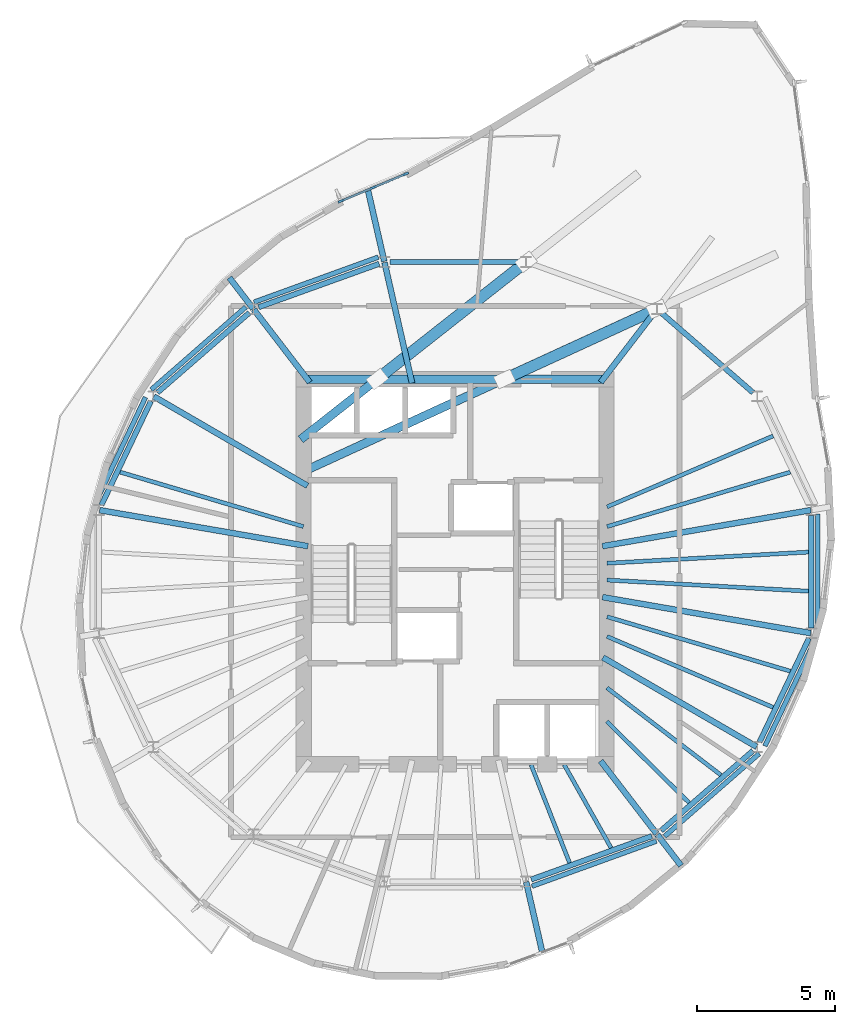
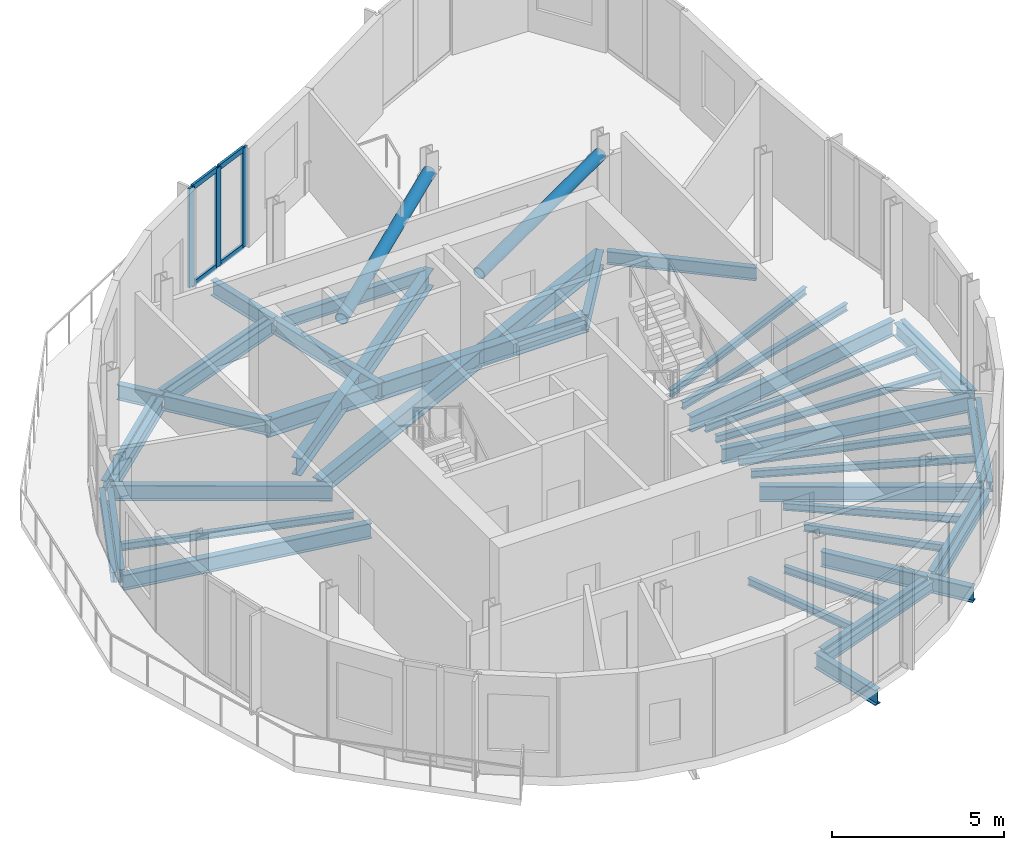
# One storey, part 2 of 8: 43 beams, 9 members, 1 element without a shape of its own.
"""IFC4 building model written with IfcOpenShell, lengths in metres."""

import ifcopenshell
import ifcopenshell.guid

model = None  # the IFC model being written
_history = None  # IfcOwnerHistory: only IFC2X3 demands one
_inside = {}  # id of a spatial element -> (the spatial element, [elements in it])
_under = {}  # id of a project, library or spatial element -> (it, [spatial elements below it])
_declared = {}  # id of a project -> (the project, [libraries it declares])
_typed = {}  # id of a type object -> (the type object, [elements of that type])
_made_of = {}  # id of a material, layer set ... -> (it, [elements and type objects made of it])


def new_model(schema):
    """Start an empty IFC model of exactly this schema.

    Asked for "IFC4X3", IfcOpenShell would pick the latest addendum, in which some entities
    have other attributes; the version numbers below select the first issue.
    IFC2X3 requires an IfcOwnerHistory on every rooted entity: one is made here for all.
    """
    global model, _history
    if schema == "IFC4X3":
        model = ifcopenshell.file(schema_version=(4, 3, 0, 0))
    else:
        model = ifcopenshell.file(schema=schema)
    _inside.clear()
    _under.clear()
    _declared.clear()
    _typed.clear()
    _made_of.clear()
    _history = None
    if model.schema == "IFC2X3":
        org = make("IfcOrganization", Name="unknown")
        user = make(
            "IfcPersonAndOrganization",
            ThePerson=make("IfcPerson", FamilyName="unknown"),
            TheOrganization=org,
        )
        app = make(
            "IfcApplication",
            ApplicationDeveloper=org,
            Version="unknown",
            ApplicationFullName="unknown",
            ApplicationIdentifier="unknown",
        )
        _history = make(
            "IfcOwnerHistory",
            OwningUser=user,
            OwningApplication=app,
            ChangeAction="ADDED",
            CreationDate=0,
        )
    return model


def make(cls, **values):
    """One entity of the class cls with the attributes given. An attribute that is None is left unset."""
    return model.create_entity(
        cls, **{name: value for name, value in values.items() if value is not None}
    )


def rooted(cls, **values):
    """An entity with a GlobalId (a new one), such as an element, a storey or a relation."""
    return make(cls, GlobalId=ifcopenshell.guid.new(), OwnerHistory=_history, **values)


def si_unit(unit_type, name, prefix=None):
    """IfcSIUnit, for example si_unit("LENGTHUNIT", "METRE", prefix="MILLI")."""
    return make("IfcSIUnit", UnitType=unit_type, Prefix=prefix, Name=name)


def assignment(units):
    """IfcUnitAssignment: the units of a project."""
    return None if units is None else make("IfcUnitAssignment", Units=units)


def point(xyz):
    """IfcCartesianPoint."""
    return None if xyz is None else make("IfcCartesianPoint", Coordinates=xyz)


def direction(xyz):
    """IfcDirection."""
    return None if xyz is None else make("IfcDirection", DirectionRatios=xyz)


def frame(location, z_axis=None, x_axis=None):
    """IfcAxis2Placement3D, a coordinate frame: its origin and axes. An axis left out is left unset."""
    return make(
        "IfcAxis2Placement3D",
        Location=point(location),
        Axis=direction(z_axis),
        RefDirection=direction(x_axis),
    )


def frame_2d(location, x_axis=None):
    """IfcAxis2Placement2D, a coordinate frame in the plane: its origin and x axis."""
    return make(
        "IfcAxis2Placement2D", Location=point(location), RefDirection=direction(x_axis)
    )


def origin():
    """The frame at (0, 0, 0) with its axes left unset."""
    return frame((0.0, 0.0, 0.0))


def origin_2d():
    """The frame at (0, 0) in the plane with its x axis left unset."""
    return frame_2d((0.0, 0.0))


def place(relative_to, where):
    """IfcLocalPlacement: puts the frame where relative to a parent placement (None: the world)."""
    return make(
        "IfcLocalPlacement", PlacementRelTo=relative_to, RelativePlacement=where
    )


def context(
    kind, dimensions, precision=None, world=None, true_north=None, identifier=None
):
    """IfcGeometricRepresentationContext, for example the 3D "Model" context."""
    return make(
        "IfcGeometricRepresentationContext",
        ContextIdentifier=identifier,
        ContextType=kind,
        CoordinateSpaceDimension=dimensions,
        Precision=precision,
        WorldCoordinateSystem=world,
        TrueNorth=true_north,
    )


def subcontext(parent, identifier, kind, view, scale=None):
    """IfcGeometricRepresentationSubContext, for example "Body" below "Model"."""
    return make(
        "IfcGeometricRepresentationSubContext",
        ContextIdentifier=identifier,
        ContextType=kind,
        ParentContext=parent,
        TargetScale=scale,
        TargetView=view,
    )


def project(units=None, contexts=None):
    """IfcProject with its units and contexts."""
    return rooted(
        "IfcProject",
        Name="project",
        RepresentationContexts=contexts,
        UnitsInContext=assignment(units),
    )


def spatial(cls, under=None, at=None, **own):
    """A site, building, storey or space (cls), placed at a placement, below another one or the project."""
    s = rooted(cls, ObjectPlacement=at, **own)
    if under is not None:
        _under.setdefault(under.id(), (under, []))[1].append(s)
    return s


def profile(cls, at=None, kind="AREA", **sizes):
    """A parametric profile (cls). Its sizes go by their IFC names, for example OverallWidth=200.0."""
    return make(cls, ProfileType=kind, Position=at, **sizes)


def rectangle(**sizes):
    """IfcRectangleProfileDef."""
    return profile("IfcRectangleProfileDef", **sizes)


def hollow_circle(**sizes):
    """IfcCircleHollowProfileDef."""
    return profile("IfcCircleHollowProfileDef", **sizes)


def i_section(**sizes):
    """IfcIShapeProfileDef."""
    return profile("IfcIShapeProfileDef", **sizes)


def extrude(swept, where, along, depth):
    """IfcExtrudedAreaSolid: the profile swept, set in the frame where, extruded along a direction by depth."""
    return make(
        "IfcExtrudedAreaSolid",
        SweptArea=swept,
        Position=where,
        ExtrudedDirection=direction(along),
        Depth=depth,
    )


def shape(context_of_items, identifier, shape_type, items):
    """IfcShapeRepresentation: the items that make up one representation, for example the "Body"."""
    return make(
        "IfcShapeRepresentation",
        ContextOfItems=context_of_items,
        RepresentationIdentifier=identifier,
        RepresentationType=shape_type,
        Items=items,
    )


def material(Name=None, Category=None):
    """IfcMaterial."""
    return make("IfcMaterial", Name=Name, Category=Category)


def material_profile(
    of_material, cross_section, Name=None, Category=None, Priority=None
):
    """IfcMaterialProfile: a cross section and its material."""
    return make(
        "IfcMaterialProfile",
        Name=Name,
        Material=of_material,
        Profile=cross_section,
        Priority=Priority,
        Category=Category,
    )


def profile_set(profiles, Name=None, composite=None):
    """IfcMaterialProfileSet."""
    return make(
        "IfcMaterialProfileSet",
        Name=Name,
        MaterialProfiles=profiles,
        CompositeProfile=composite,
    )


def made_of(thing, what):
    """Note that an element or type object is made of a material, layer set ...; save() writes the relation."""
    if what is not None:
        _made_of.setdefault(what.id(), (what, []))[1].append(thing)
    return thing


def type_object(cls, material=None, **own):
    """A type object (cls), such as IfcWallType, which elements share."""
    return made_of(rooted(cls, **own), material)


def element(
    cls,
    number,
    at=None,
    inside=None,
    cuts=None,
    type_object=None,
    material=None,
    context=None,
    identifier="Body",
    shape_type=None,
    held_by="IfcProductDefinitionShape",
    body=None,
    shapes=None,
    **own,
):
    """One element of the class cls, such as IfcWall. Its Tag is "e" and its number.

    at: its placement. inside: the storey or other place that contains it. cuts: it is an
    opening in that element (IfcRelVoidsElement). A single representation is given by context,
    identifier, shape_type and body (its items); several are given by shapes. held_by: the class
    of the entity that holds the representations. save() writes the other relations.
    """
    e = rooted(cls, Tag="e%d" % number, ObjectPlacement=at, **own)
    if body is not None:
        shapes = [shape(context, identifier, shape_type, body)]
    if shapes is not None:
        e.Representation = make(held_by, Representations=shapes)
    if inside is not None:
        _inside.setdefault(inside.id(), (inside, []))[1].append(e)
    if cuts is not None:
        rooted(
            "IfcRelVoidsElement", RelatingBuildingElement=cuts, RelatedOpeningElement=e
        )
    if type_object is not None:
        _typed.setdefault(type_object.id(), (type_object, []))[1].append(e)
    return made_of(e, material)


def aggregate(whole, parts):
    """IfcRelAggregates: a whole, such as a stair, and the parts it consists of."""
    return rooted("IfcRelAggregates", RelatingObject=whole, RelatedObjects=parts)


def save(model, path):
    """Write the relations noted so far, then the file.

    IfcRelAggregates (storeys below a building ...), IfcRelContainedInSpatialStructure (elements
    in a storey), IfcRelDefinesByType, IfcRelAssociatesMaterial and IfcRelDeclares: one each for
    every whole, place, type object, material and project.
    """
    for whole, parts in _under.values():
        aggregate(whole, parts)
    for where, things in _inside.values():
        rooted(
            "IfcRelContainedInSpatialStructure",
            RelatedElements=things,
            RelatingStructure=where,
        )
    for kind, things in _typed.values():
        rooted("IfcRelDefinesByType", RelatedObjects=things, RelatingType=kind)
    for what, things in _made_of.values():
        rooted("IfcRelAssociatesMaterial", RelatedObjects=things, RelatingMaterial=what)
    for by, libraries in _declared.values():
        rooted("IfcRelDeclares", RelatingContext=by, RelatedDefinitions=libraries)
    model.write(path)


model = new_model("IFC4")

# Units and contexts
model_context = context("Model", 3, precision=1e-05, world=origin(), true_north=direction((0.0, 1.0)))
body_context = subcontext(model_context, "Body", "Model", "MODEL_VIEW")
ifc_project = project(units=[si_unit("LENGTHUNIT", "METRE"), si_unit("AREAUNIT", "SQUARE_METRE"), si_unit("VOLUMEUNIT", "CUBIC_METRE"), si_unit("PLANEANGLEUNIT", "RADIAN"), si_unit("MASSUNIT", "GRAM", prefix="KILO")], contexts=[model_context])

# Site, building, storey
site_placement = place(None, origin())
site = spatial("IfcSite", under=ifc_project, at=site_placement, CompositionType="ELEMENT")
building_placement = place(site_placement, origin())
building = spatial("IfcBuilding", under=site, at=building_placement, Name="Veldorim Arch Residences", CompositionType="ELEMENT")
storey_placement = place(building_placement, frame((0.0, 0.0, 243.0400390625)))
storey = spatial("IfcBuildingStorey", under=building, at=storey_placement, Name="L73", CompositionType="ELEMENT", Elevation=243.0400390625)

# Members
ifc_material_1 = material(Name="Steel S460", Category="steel")
ifc_material_profile_1 = material_profile(ifc_material_1, hollow_circle(Radius=0.203125, WallThickness=0.02490234375, at=origin_2d()), Name="CHS406.4x25")
ifc_profile_set_1 = profile_set([ifc_material_profile_1], Name="Steel S460")
member_type_1 = type_object("IfcMemberType", Name="Crown Diagrid CHS406.4x25", PredefinedType="BRACE", material=ifc_profile_set_1)
member_1_placement = place(storey_placement, frame((33.79248046875, 31.0, 2.300048828125), z_axis=(0.901909011475, 0.414315445613, 0.122077215512), x_axis=(-0.417437626064, 0.908705578472, 0.0)))
element("IfcMember", 1, at=member_1_placement, inside=storey, type_object=member_type_1, Name="Observation prow truss 1 back-span brace L73", PredefinedType="BRACE", context=body_context, shape_type="SweptSolid", body=[
    extrude(hollow_circle(Radius=0.203125, WallThickness=0.02490234375, at=origin_2d()), origin(), (0.0, 0.0, 1.0), 6.1435546875),
])
member_2_placement = place(storey_placement, frame((29.16650390625, 31.0, 2.300048828125), z_axis=(0.781003122321, 0.61506551752, 0.108298347557), x_axis=(-0.618704466465, 0.785623817852, 0.0)))
element("IfcMember", 2, at=member_2_placement, inside=storey, type_object=member_type_1, Name="Observation prow truss 2 back-span brace L73", PredefinedType="BRACE", context=body_context, shape_type="SweptSolid", body=[
    extrude(hollow_circle(Radius=0.203125, WallThickness=0.02490234375, at=origin_2d()), origin(), (0.0, 0.0, 1.0), 6.92529296875),
])

# Curtain wall, members
ifc_material_2 = material(Name="Aluminium", Category="aluminium")
curtain_wall_type = type_object("IfcCurtainWallType", Name="Sky Lounge & Conservatory Tall Curtain Wall", PredefinedType="NOTDEFINED", material=ifc_material_2)
curtain_wall_placement = place(storey_placement, origin())
curtain_wall = element("IfcCurtainWall", 3, at=curtain_wall_placement, inside=storey, type_object=curtain_wall_type, Name="L73 unitised curtain wall bay 05", PredefinedType="NOTDEFINED")
ifc_material_3 = material(Name="Aluminium", Category="aluminium")
ifc_material_profile_2 = material_profile(ifc_material_3, rectangle(XDim=0.080078125, YDim=0.219970703125, at=origin_2d()), Name="ALU_MUL_80x220")
ifc_profile_set_2 = profile_set([ifc_material_profile_2], Name="Aluminium")
member_type_2 = type_object("IfcMemberType", Name="Sky Lounge & Conservatory Tall Curtain Wall Mullion 80x220", PredefinedType="MULLION", material=ifc_profile_set_2)
member_3_placement = place(storey_placement, frame((27.845703125, 37.46875, 0.0), z_axis=(0.0, 0.0, 1.0), x_axis=(-0.387203450699, 0.921994299205, 0.0)))
member_3 = element("IfcMember", 4, at=member_3_placement, type_object=member_type_2, Name="CW-SKY mullion 1", PredefinedType="MULLION", context=body_context, shape_type="SweptSolid", body=[
    extrude(rectangle(XDim=0.080078125, YDim=0.219970703125, at=origin_2d()), origin(), (0.0, 0.0, 1.0), 3.52001953125),
])
member_4_placement = place(storey_placement, frame((29.023681640625, 37.96337890625, 0.0), z_axis=(0.0, 0.0, 1.0), x_axis=(-0.387203450699, 0.921994299205, 0.0)))
member_4 = element("IfcMember", 5, at=member_4_placement, type_object=member_type_2, Name="CW-SKY mullion 2", PredefinedType="MULLION", context=body_context, shape_type="SweptSolid", body=[
    extrude(rectangle(XDim=0.080078125, YDim=0.219970703125, at=origin_2d()), origin(), (0.0, 0.0, 1.0), 3.52001953125),
])
member_5_placement = place(storey_placement, frame((30.201416015625, 38.4580078125, 0.0), z_axis=(0.0, 0.0, 1.0), x_axis=(-0.387203450699, 0.921994299205, 0.0)))
member_5 = element("IfcMember", 6, at=member_5_placement, type_object=member_type_2, Name="CW-SKY mullion 3", PredefinedType="MULLION", context=body_context, shape_type="SweptSolid", body=[
    extrude(rectangle(XDim=0.080078125, YDim=0.219970703125, at=origin_2d()), origin(), (0.0, 0.0, 1.0), 3.52001953125),
])
ifc_material_4 = material(Name="Aluminium", Category="aluminium")
ifc_material_profile_3 = material_profile(ifc_material_4, rectangle(XDim=0.080078125, YDim=0.18505859375, at=origin_2d()), Name="ALU_TRN_80x185")
ifc_profile_set_3 = profile_set([ifc_material_profile_3], Name="Aluminium")
member_type_3 = type_object("IfcMemberType", Name="Sky Lounge & Conservatory Tall Curtain Wall Transom 80x185", PredefinedType="USERDEFINED", material=ifc_profile_set_3)
member_6_placement = place(storey_placement, frame((27.882568359375, 37.484375, 0.0400390625), z_axis=(0.922030133397, 0.387118112607, 0.0), x_axis=(-0.387118112607, 0.922030133397, 0.0)))
member_6 = element("IfcMember", 7, at=member_6_placement, type_object=member_type_3, Name="CW-SKY transom 1.1", ObjectType="TRANSOM", PredefinedType="USERDEFINED", context=body_context, shape_type="SweptSolid", body=[
    extrude(rectangle(XDim=0.080078125, YDim=0.18505859375, at=origin_2d()), origin(), (0.0, 0.0, 1.0), 1.197509765625),
])
member_7_placement = place(storey_placement, frame((27.882568359375, 37.484375, 3.47998046875), z_axis=(0.922030133397, 0.387118112607, 0.0), x_axis=(-0.387118112607, 0.922030133397, 0.0)))
member_7 = element("IfcMember", 8, at=member_7_placement, type_object=member_type_3, Name="CW-SKY transom 1.2", ObjectType="TRANSOM", PredefinedType="USERDEFINED", context=body_context, shape_type="SweptSolid", body=[
    extrude(rectangle(XDim=0.080078125, YDim=0.18505859375, at=origin_2d()), origin(), (0.0, 0.0, 1.0), 1.197509765625),
])
member_8_placement = place(storey_placement, frame((29.060546875, 37.97900390625, 0.0400390625), z_axis=(0.921999575183, 0.387190887499, 0.0), x_axis=(-0.387190887499, 0.921999575183, 0.0)))
member_8 = element("IfcMember", 9, at=member_8_placement, type_object=member_type_3, Name="CW-SKY transom 2.1", ObjectType="TRANSOM", PredefinedType="USERDEFINED", context=body_context, shape_type="SweptSolid", body=[
    extrude(rectangle(XDim=0.080078125, YDim=0.18505859375, at=origin_2d()), origin(), (0.0, 0.0, 1.0), 1.197509765625),
])
member_9_placement = place(storey_placement, frame((29.060546875, 37.97900390625, 3.47998046875), z_axis=(0.921999575183, 0.387190887499, 0.0), x_axis=(-0.387190887499, 0.921999575183, 0.0)))
member_9 = element("IfcMember", 10, at=member_9_placement, type_object=member_type_3, Name="CW-SKY transom 2.2", ObjectType="TRANSOM", PredefinedType="USERDEFINED", context=body_context, shape_type="SweptSolid", body=[
    extrude(rectangle(XDim=0.080078125, YDim=0.18505859375, at=origin_2d()), origin(), (0.0, 0.0, 1.0), 1.197509765625),
])
aggregate(curtain_wall, [member_3, member_4, member_5, member_6, member_7, member_8, member_9])

# Beams
ifc_material_5 = material(Name="Steel S355", Category="steel")
ifc_material_profile_4 = material_profile(ifc_material_5, i_section(OverallWidth=0.2119140625, OverallDepth=0.54443359375, WebThickness=0.0126953125, FlangeThickness=0.021240234375, at=origin_2d()), Name="UB533x210x122")
ifc_profile_set_4 = profile_set([ifc_material_profile_4], Name="Steel S355")
beam_type_1 = type_object("IfcBeamType", Name="Structural Steel Beam UB533x210x122", PredefinedType="BEAM", material=ifc_profile_set_4)
beam_1_placement = place(storey_placement, frame((37.352294921875, 24.92578125, -0.59228515625), z_axis=(0.985364974081, 0.170457818401, 0.0), x_axis=(-0.170457818401, 0.985364974081, 0.0)))
element("IfcBeam", 11, at=beam_1_placement, inside=storey, type_object=beam_type_1, Name="L73 radial floor girder 01", PredefinedType="BEAM", context=body_context, shape_type="SweptSolid", body=[
    extrude(i_section(OverallWidth=0.2119140625, OverallDepth=0.54443359375, WebThickness=0.0126953125, FlangeThickness=0.021240234375, at=origin_2d()), origin(), (0.0, 0.0, 1.0), 7.68701171875),
])
beam_2_placement = place(storey_placement, frame((37.28662109375, 30.881103515625, -0.59228515625), z_axis=(0.609258442308, 0.792971721108, 0.0), x_axis=(-0.792971721108, 0.609258442308, 0.0)))
element("IfcBeam", 12, at=beam_2_placement, inside=storey, type_object=beam_type_1, Name="L73 radial floor girder 03", PredefinedType="BEAM", context=body_context, shape_type="SweptSolid", body=[
    extrude(i_section(OverallWidth=0.2119140625, OverallDepth=0.54443359375, WebThickness=0.0126953125, FlangeThickness=0.021240234375, at=origin_2d()), origin(), (0.0, 0.0, 1.0), 3.339599609375),
])
beam_3_placement = place(storey_placement, frame((30.432373046875, 30.853759765625, -0.59228515625), z_axis=(-0.222952976993, 0.97482920045, 0.0), x_axis=(-0.97482920045, -0.222952976993, 0.0)))
element("IfcBeam", 13, at=beam_3_placement, inside=storey, type_object=beam_type_1, Name="L73 radial floor girder 05", PredefinedType="BEAM", context=body_context, shape_type="SweptSolid", body=[
    extrude(i_section(OverallWidth=0.2119140625, OverallDepth=0.54443359375, WebThickness=0.0126953125, FlangeThickness=0.021240234375, at=origin_2d()), origin(), (0.0, 0.0, 1.0), 4.49951171875),
])
beam_4_placement = place(storey_placement, frame((29.42041015625, 35.27880859375, -0.59228515625), z_axis=(-0.222961881454, 0.97482716387, 0.0), x_axis=(-0.97482716387, -0.222961881454, 0.0)))
element("IfcBeam", 14, at=beam_4_placement, inside=storey, type_object=beam_type_1, Name="L73 radial edge cantilever girder 05", PredefinedType="BEAM", context=body_context, shape_type="SweptSolid", body=[
    extrude(i_section(OverallWidth=0.2119140625, OverallDepth=0.54443359375, WebThickness=0.0126953125, FlangeThickness=0.021240234375, at=origin_2d()), origin(), (0.0, 0.0, 1.0), 2.65966796875),
])
beam_5_placement = place(storey_placement, frame((26.71337890625, 30.881103515625, -0.59228515625), z_axis=(-0.609258442308, 0.792971721108, 0.0), x_axis=(-0.792971721108, -0.609258442308, 0.0)))
element("IfcBeam", 15, at=beam_5_placement, inside=storey, type_object=beam_type_1, Name="L73 radial floor girder 06", PredefinedType="BEAM", context=body_context, shape_type="SweptSolid", body=[
    extrude(i_section(OverallWidth=0.2119140625, OverallDepth=0.54443359375, WebThickness=0.0126953125, FlangeThickness=0.021240234375, at=origin_2d()), origin(), (0.0, 0.0, 1.0), 3.339599609375),
])
beam_6_placement = place(storey_placement, frame((24.654296875, 33.561279296875, -0.59228515625), z_axis=(-0.609194421534, 0.793020905634, 0.0), x_axis=(-0.793020905634, -0.609194421534, 0.0)))
element("IfcBeam", 16, at=beam_6_placement, inside=storey, type_object=beam_type_1, Name="L73 radial edge cantilever girder 06", PredefinedType="BEAM", context=body_context, shape_type="SweptSolid", body=[
    extrude(i_section(OverallWidth=0.2119140625, OverallDepth=0.54443359375, WebThickness=0.0126953125, FlangeThickness=0.021240234375, at=origin_2d()), origin(), (0.0, 0.0, 1.0), 1.4169921875),
])
beam_7_placement = place(storey_placement, frame((26.629638671875, 27.12060546875, -0.59228515625), z_axis=(-0.864595736304, 0.502468121142, 0.0), x_axis=(-0.502468121142, -0.864595736304, 0.0)))
element("IfcBeam", 17, at=beam_7_placement, inside=storey, type_object=beam_type_1, Name="L73 radial floor girder 07", PredefinedType="BEAM", context=body_context, shape_type="SweptSolid", body=[
    extrude(i_section(OverallWidth=0.2119140625, OverallDepth=0.54443359375, WebThickness=0.0126953125, FlangeThickness=0.021240234375, at=origin_2d()), origin(), (0.0, 0.0, 1.0), 6.462646484375),
])
beam_8_placement = place(storey_placement, frame((26.647705078125, 24.92578125, -0.59228515625), z_axis=(-0.985364974081, 0.170457818401, 0.0), x_axis=(-0.170457818401, -0.985364974081, 0.0)))
element("IfcBeam", 18, at=beam_8_placement, inside=storey, type_object=beam_type_1, Name="L73 radial floor girder 08", PredefinedType="BEAM", context=body_context, shape_type="SweptSolid", body=[
    extrude(i_section(OverallWidth=0.2119140625, OverallDepth=0.54443359375, WebThickness=0.0126953125, FlangeThickness=0.021240234375, at=origin_2d()), origin(), (0.0, 0.0, 1.0), 7.68701171875),
])
beam_9_placement = place(storey_placement, frame((34.57958984375, 12.72119140625, -0.59228515625), z_axis=(0.222974572067, -0.974824261193, 0.0), x_axis=(0.974824261193, 0.222974572067, 0.0)))
element("IfcBeam", 19, at=beam_9_placement, inside=storey, type_object=beam_type_1, Name="L73 radial edge cantilever girder 13", PredefinedType="BEAM", context=body_context, shape_type="SweptSolid", body=[
    extrude(i_section(OverallWidth=0.2119140625, OverallDepth=0.54443359375, WebThickness=0.0126953125, FlangeThickness=0.021240234375, at=origin_2d()), origin(), (0.0, 0.0, 1.0), 2.611328125),
])
beam_10_placement = place(storey_placement, frame((37.28662109375, 17.118896484375, -0.59228515625), z_axis=(0.609258442308, -0.792971721108, 0.0), x_axis=(0.792971721108, 0.609258442308, 0.0)))
element("IfcBeam", 20, at=beam_10_placement, inside=storey, type_object=beam_type_1, Name="L73 radial floor girder 14", PredefinedType="BEAM", context=body_context, shape_type="SweptSolid", body=[
    extrude(i_section(OverallWidth=0.2119140625, OverallDepth=0.54443359375, WebThickness=0.0126953125, FlangeThickness=0.021240234375, at=origin_2d()), origin(), (0.0, 0.0, 1.0), 3.339599609375),
])
beam_11_placement = place(storey_placement, frame((39.345703125, 14.438720703125, -0.59228515625), z_axis=(0.609194421534, -0.793020905634, 0.0), x_axis=(0.793020905634, 0.609194421534, 0.0)))
element("IfcBeam", 21, at=beam_11_placement, inside=storey, type_object=beam_type_1, Name="L73 radial edge cantilever girder 14", PredefinedType="BEAM", context=body_context, shape_type="SweptSolid", body=[
    extrude(i_section(OverallWidth=0.2119140625, OverallDepth=0.54443359375, WebThickness=0.0126953125, FlangeThickness=0.021240234375, at=origin_2d()), origin(), (0.0, 0.0, 1.0), 1.4169921875),
])
beam_12_placement = place(storey_placement, frame((37.370361328125, 20.87939453125, -0.59228515625), z_axis=(0.864595736304, -0.502468121142, 0.0), x_axis=(0.502468121142, 0.864595736304, 0.0)))
element("IfcBeam", 22, at=beam_12_placement, inside=storey, type_object=beam_type_1, Name="L73 radial floor girder 15", PredefinedType="BEAM", context=body_context, shape_type="SweptSolid", body=[
    extrude(i_section(OverallWidth=0.2119140625, OverallDepth=0.54443359375, WebThickness=0.0126953125, FlangeThickness=0.021240234375, at=origin_2d()), origin(), (0.0, 0.0, 1.0), 6.462646484375),
])
beam_13_placement = place(storey_placement, frame((37.352294921875, 23.07421875, -0.59228515625), z_axis=(0.985364974081, -0.170457818401, 0.0), x_axis=(0.170457818401, 0.985364974081, 0.0)))
element("IfcBeam", 23, at=beam_13_placement, inside=storey, type_object=beam_type_1, Name="L73 radial floor girder 16", PredefinedType="BEAM", context=body_context, shape_type="SweptSolid", body=[
    extrude(i_section(OverallWidth=0.2119140625, OverallDepth=0.54443359375, WebThickness=0.0126953125, FlangeThickness=0.021240234375, at=origin_2d()), origin(), (0.0, 0.0, 1.0), 7.68701171875),
])
ifc_material_6 = material(Name="Steel S355", Category="steel")
ifc_material_profile_5 = material_profile(ifc_material_6, i_section(OverallWidth=0.30712890625, OverallDepth=0.6201171875, WebThickness=0.01416015625, FlangeThickness=0.023681640625, at=origin_2d()), Name="UB610x305x179")
ifc_profile_set_5 = profile_set([ifc_material_profile_5], Name="Steel S355")
beam_type_2 = type_object("IfcBeamType", Name="Structural Steel Beam UB610x305x179", PredefinedType="BEAM", material=ifc_profile_set_5)
beam_14_placement = place(storey_placement, frame((26.36376953125, 27.58740234375, -0.64013671875), z_axis=(0.908701957985, 0.417445507287, 0.0), x_axis=(-0.417445507287, 0.908701957985, 0.0)))
element("IfcBeam", 24, at=beam_14_placement, inside=storey, type_object=beam_type_2, Name="Observation prow back-span transfer girder 1 L73", PredefinedType="BEAM", context=body_context, shape_type="SweptSolid", body=[
    extrude(i_section(OverallWidth=0.30712890625, OverallDepth=0.6201171875, WebThickness=0.01416015625, FlangeThickness=0.023681640625, at=origin_2d()), origin(), (0.0, 0.0, 1.0), 14.252685546875),
])
beam_15_placement = place(storey_placement, frame((26.60009765625, 31.0, -0.64013671875), z_axis=(1.0, 0.0, 0.0), x_axis=(0.0, 1.0, 0.0)))
element("IfcBeam", 25, at=beam_15_placement, inside=storey, type_object=beam_type_2, Name="Observation prow truss 2 core anchor bottom girder", PredefinedType="BEAM", context=body_context, shape_type="SweptSolid", body=[
    extrude(i_section(OverallWidth=0.30712890625, OverallDepth=0.6201171875, WebThickness=0.01416015625, FlangeThickness=0.023681640625, at=origin_2d()), origin(), (0.0, 0.0, 1.0), 10.7998046875),
])
beam_16_placement = place(storey_placement, frame((26.382080078125, 28.80712890625, -0.64013671875), z_axis=(0.785628476645, 0.618698550737, 0.0), x_axis=(-0.618698550737, 0.785628476645, 0.0)))
element("IfcBeam", 26, at=beam_16_placement, inside=storey, type_object=beam_type_2, Name="Observation prow back-span transfer girder 2 L73", PredefinedType="BEAM", context=body_context, shape_type="SweptSolid", body=[
    extrude(i_section(OverallWidth=0.30712890625, OverallDepth=0.6201171875, WebThickness=0.01416015625, FlangeThickness=0.023681640625, at=origin_2d()), origin(), (0.0, 0.0, 1.0), 10.408935546875),
])
ifc_material_7 = material(Name="Steel S355", Category="steel")
ifc_material_profile_6 = material_profile(ifc_material_7, i_section(OverallWidth=0.146484375, OverallDepth=0.256103515625, WebThickness=0.00634765625, FlangeThickness=0.010986328125, at=origin_2d()), Name="UB254x146x37")
ifc_profile_set_6 = profile_set([ifc_material_profile_6], Name="Steel S355")
beam_type_3 = type_object("IfcBeamType", Name="Structural Steel Joist UB254x146x37", PredefinedType="JOIST", material=ifc_profile_set_6)
beam_17_placement = place(storey_placement, frame((37.519287109375, 25.639404296875, -0.447998046875), z_axis=(0.958594432792, 0.284774846889, 0.0), x_axis=(-0.284774846889, 0.958594432792, 0.0)))
element("IfcBeam", 27, at=beam_17_placement, inside=storey, type_object=beam_type_3, Name="L73 secondary radial floor joist 01-1", PredefinedType="JOIST", context=body_context, shape_type="SweptSolid", body=[
    extrude(i_section(OverallWidth=0.146484375, OverallDepth=0.256103515625, WebThickness=0.00634765625, FlangeThickness=0.010986328125, at=origin_2d()), origin(), (0.0, 0.0, 1.0), 6.949462890625),
])
beam_18_placement = place(storey_placement, frame((37.518310546875, 26.355712890625, -0.447998046875), z_axis=(0.919725161652, 0.392562895629, 0.0), x_axis=(-0.392562895629, 0.919725161652, 0.0)))
element("IfcBeam", 28, at=beam_18_placement, inside=storey, type_object=beam_type_3, Name="L73 secondary radial floor joist 01-2", PredefinedType="JOIST", context=body_context, shape_type="SweptSolid", body=[
    extrude(i_section(OverallWidth=0.146484375, OverallDepth=0.256103515625, WebThickness=0.00634765625, FlangeThickness=0.010986328125, at=origin_2d()), origin(), (0.0, 0.0, 1.0), 6.5625),
])
beam_19_placement = place(storey_placement, frame((26.480712890625, 25.639404296875, -0.447998046875), z_axis=(-0.958594432792, 0.284774846889, 0.0), x_axis=(-0.284774846889, -0.958594432792, 0.0)))
element("IfcBeam", 29, at=beam_19_placement, inside=storey, type_object=beam_type_3, Name="L73 secondary radial floor joist 07-2", PredefinedType="JOIST", context=body_context, shape_type="SweptSolid", body=[
    extrude(i_section(OverallWidth=0.146484375, OverallDepth=0.256103515625, WebThickness=0.00634765625, FlangeThickness=0.010986328125, at=origin_2d()), origin(), (0.0, 0.0, 1.0), 6.949462890625),
])
beam_20_placement = place(storey_placement, frame((34.75634765625, 16.9814453125, -0.447998046875), z_axis=(0.365581383042, -0.930779379001, 0.0), x_axis=(0.930779379001, 0.365581383042, 0.0)))
element("IfcBeam", 30, at=beam_20_placement, inside=storey, type_object=beam_type_3, Name="L73 secondary radial floor joist 13-1", PredefinedType="JOIST", context=body_context, shape_type="SweptSolid", body=[
    extrude(i_section(OverallWidth=0.146484375, OverallDepth=0.256103515625, WebThickness=0.00634765625, FlangeThickness=0.010986328125, at=origin_2d()), origin(), (0.0, 0.0, 1.0), 3.83056640625),
])
beam_21_placement = place(storey_placement, frame((35.960205078125, 16.982666015625, -0.447998046875), z_axis=(0.491452469585, -0.870904397818, 0.0), x_axis=(0.870904397818, 0.491452469585, 0.0)))
element("IfcBeam", 31, at=beam_21_placement, inside=storey, type_object=beam_type_3, Name="L73 secondary radial floor joist 13-2", PredefinedType="JOIST", context=body_context, shape_type="SweptSolid", body=[
    extrude(i_section(OverallWidth=0.146484375, OverallDepth=0.256103515625, WebThickness=0.00634765625, FlangeThickness=0.010986328125, at=origin_2d()), origin(), (0.0, 0.0, 1.0), 3.472412109375),
])
beam_22_placement = place(storey_placement, frame((37.51416015625, 18.55224609375, -0.447998046875), z_axis=(0.711396725432, -0.702790650937, 0.0), x_axis=(0.702790650937, 0.711396725432, 0.0)))
element("IfcBeam", 32, at=beam_22_placement, inside=storey, type_object=beam_type_3, Name="L73 secondary radial floor joist 14-1", PredefinedType="JOIST", context=body_context, shape_type="SweptSolid", body=[
    extrude(i_section(OverallWidth=0.146484375, OverallDepth=0.256103515625, WebThickness=0.00634765625, FlangeThickness=0.010986328125, at=origin_2d()), origin(), (0.0, 0.0, 1.0), 4.198486328125),
])
beam_23_placement = place(storey_placement, frame((37.515869140625, 19.777099609375, -0.447998046875), z_axis=(0.794013672216, -0.607899899929, 0.0), x_axis=(0.607899899929, 0.794013672216, 0.0)))
element("IfcBeam", 33, at=beam_23_placement, inside=storey, type_object=beam_type_3, Name="L73 secondary radial floor joist 14-2", PredefinedType="JOIST", context=body_context, shape_type="SweptSolid", body=[
    extrude(i_section(OverallWidth=0.146484375, OverallDepth=0.256103515625, WebThickness=0.00634765625, FlangeThickness=0.010986328125, at=origin_2d()), origin(), (0.0, 0.0, 1.0), 5.217041015625),
])
beam_24_placement = place(storey_placement, frame((37.518310546875, 21.644287109375, -0.447998046875), z_axis=(0.919725161652, -0.392562895629, 0.0), x_axis=(0.392562895629, 0.919725161652, 0.0)))
element("IfcBeam", 34, at=beam_24_placement, inside=storey, type_object=beam_type_3, Name="L73 secondary radial floor joist 15-1", PredefinedType="JOIST", context=body_context, shape_type="SweptSolid", body=[
    extrude(i_section(OverallWidth=0.146484375, OverallDepth=0.256103515625, WebThickness=0.00634765625, FlangeThickness=0.010986328125, at=origin_2d()), origin(), (0.0, 0.0, 1.0), 6.5625),
])
beam_25_placement = place(storey_placement, frame((37.519287109375, 22.360595703125, -0.447998046875), z_axis=(0.958594432792, -0.284774846889, 0.0), x_axis=(0.284774846889, 0.958594432792, 0.0)))
element("IfcBeam", 35, at=beam_25_placement, inside=storey, type_object=beam_type_3, Name="L73 secondary radial floor joist 15-2", PredefinedType="JOIST", context=body_context, shape_type="SweptSolid", body=[
    extrude(i_section(OverallWidth=0.146484375, OverallDepth=0.256103515625, WebThickness=0.00634765625, FlangeThickness=0.010986328125, at=origin_2d()), origin(), (0.0, 0.0, 1.0), 6.949462890625),
])
for number, where, z_axis, x_axis, name in (
    (36, (37.52001953125, 23.6943359375, -0.447998046875), (0.998472000884, -0.055259962464, 0.0), (0.055259962464, 0.998472000884, 0.0), "L73 secondary radial floor joist 16-1"),
    (37, (37.52001953125, 24.3056640625, -0.447998046875), (0.998472000884, 0.055259962464, 0.0), (-0.055259962464, 0.998472000884, 0.0), "L73 secondary radial floor joist 16-2"),
):
    element("IfcBeam", number, at=place(storey_placement, frame(where, z_axis=z_axis, x_axis=x_axis)), inside=storey, type_object=beam_type_3, Name=name, PredefinedType="JOIST", context=body_context, shape_type="SweptSolid", body=[
        extrude(i_section(OverallWidth=0.146484375, OverallDepth=0.256103515625, WebThickness=0.00634765625, FlangeThickness=0.010986328125, at=origin_2d()), origin(), (0.0, 0.0, 1.0), 7.33837890625),
    ])
ifc_material_8 = material(Name="Steel S355", Category="steel")
ifc_material_profile_7 = material_profile(ifc_material_8, i_section(OverallWidth=0.172119140625, OverallDepth=0.35791015625, WebThickness=0.008056640625, FlangeThickness=0.012939453125, at=origin_2d()), Name="UB356x171x57")
ifc_profile_set_7 = profile_set([ifc_material_profile_7], Name="Steel S355")
beam_type_4 = type_object("IfcBeamType", Name="Structural Steel Spandrel UB356x171x57", PredefinedType="SPANDREL", material=ifc_profile_set_7)
beam_26_placement = place(storey_placement, frame((29.206298828125, 35.43359375, -0.51904296875), z_axis=(-0.940181197783, -0.340674794099, 0.0), x_axis=(0.340674794099, -0.940181197783, 0.0)))
element("IfcBeam", 38, at=beam_26_placement, inside=storey, type_object=beam_type_4, Name="L73 perimeter chord spandrel beam 05", PredefinedType="SPANDREL", context=body_context, shape_type="SweptSolid", body=[
    extrude(i_section(OverallWidth=0.172119140625, OverallDepth=0.35791015625, WebThickness=0.008056640625, FlangeThickness=0.012939453125, at=origin_2d()), origin(), (0.0, 0.0, 1.0), 4.80859375),
])
beam_27_placement = place(storey_placement, frame((24.38818359375, 33.6201171875, -0.51904296875), z_axis=(-0.752901089301, -0.658133686821, 0.0), x_axis=(0.658133686821, -0.752901089301, 0.0)))
element("IfcBeam", 39, at=beam_27_placement, inside=storey, type_object=beam_type_4, Name="L73 perimeter chord spandrel beam 06", PredefinedType="SPANDREL", context=body_context, shape_type="SweptSolid", body=[
    extrude(i_section(OverallWidth=0.172119140625, OverallDepth=0.35791015625, WebThickness=0.008056640625, FlangeThickness=0.012939453125, at=origin_2d()), origin(), (0.0, 0.0, 1.0), 4.567626953125),
])
beam_28_placement = place(storey_placement, frame((20.741943359375, 30.33984375, -0.51904296875), z_axis=(-0.428453398876, -0.903563879862, 0.0), x_axis=(0.903563879862, -0.428453398876, 0.0)))
element("IfcBeam", 40, at=beam_28_placement, inside=storey, type_object=beam_type_4, Name="L73 perimeter chord spandrel beam 07", PredefinedType="SPANDREL", context=body_context, shape_type="SweptSolid", body=[
    extrude(i_section(OverallWidth=0.172119140625, OverallDepth=0.35791015625, WebThickness=0.008056640625, FlangeThickness=0.012939453125, at=origin_2d()), origin(), (0.0, 0.0, 1.0), 4.31689453125),
])
beam_29_placement = place(storey_placement, frame((34.793701171875, 12.56640625, -0.51904296875), z_axis=(0.940181197783, 0.340674794099, 0.0), x_axis=(-0.340674794099, 0.940181197783, 0.0)))
element("IfcBeam", 41, at=beam_29_placement, inside=storey, type_object=beam_type_4, Name="L73 perimeter chord spandrel beam 13", PredefinedType="SPANDREL", context=body_context, shape_type="SweptSolid", body=[
    extrude(i_section(OverallWidth=0.172119140625, OverallDepth=0.35791015625, WebThickness=0.008056640625, FlangeThickness=0.012939453125, at=origin_2d()), origin(), (0.0, 0.0, 1.0), 4.80859375),
])
beam_30_placement = place(storey_placement, frame((39.61181640625, 14.3798828125, -0.51904296875), z_axis=(0.752901089301, 0.658133686821, 0.0), x_axis=(-0.658133686821, 0.752901089301, 0.0)))
element("IfcBeam", 42, at=beam_30_placement, inside=storey, type_object=beam_type_4, Name="L73 perimeter chord spandrel beam 14", PredefinedType="SPANDREL", context=body_context, shape_type="SweptSolid", body=[
    extrude(i_section(OverallWidth=0.172119140625, OverallDepth=0.35791015625, WebThickness=0.008056640625, FlangeThickness=0.012939453125, at=origin_2d()), origin(), (0.0, 0.0, 1.0), 4.567626953125),
])
beam_31_placement = place(storey_placement, frame((43.258056640625, 17.66015625, -0.51904296875), z_axis=(0.428453398876, 0.903563879862, 0.0), x_axis=(-0.903563879862, 0.428453398876, 0.0)))
element("IfcBeam", 43, at=beam_31_placement, inside=storey, type_object=beam_type_4, Name="L73 perimeter chord spandrel beam 15", PredefinedType="SPANDREL", context=body_context, shape_type="SweptSolid", body=[
    extrude(i_section(OverallWidth=0.172119140625, OverallDepth=0.35791015625, WebThickness=0.008056640625, FlangeThickness=0.012939453125, at=origin_2d()), origin(), (0.0, 0.0, 1.0), 4.31689453125),
])
beam_32_placement = place(storey_placement, frame((45.182861328125, 21.89501953125, -0.51904296875), z_axis=(0.0, 1.0, 0.0), x_axis=(-1.0, 0.0, 0.0)))
element("IfcBeam", 44, at=beam_32_placement, inside=storey, type_object=beam_type_4, Name="L73 perimeter chord spandrel beam 16", PredefinedType="SPANDREL", context=body_context, shape_type="SweptSolid", body=[
    extrude(i_section(OverallWidth=0.172119140625, OverallDepth=0.35791015625, WebThickness=0.008056640625, FlangeThickness=0.012939453125, at=origin_2d()), origin(), (0.0, 0.0, 1.0), 4.2099609375),
])
ifc_material_9 = material(Name="Steel S355", Category="steel")
ifc_material_profile_8 = material_profile(ifc_material_9, i_section(OverallWidth=0.19140625, OverallDepth=0.4599609375, WebThickness=0.010009765625, FlangeThickness=0.01611328125, at=origin_2d()), Name="UB457x191x82")
ifc_profile_set_8 = profile_set([ifc_material_profile_8], Name="Steel S355")
beam_type_5 = type_object("IfcBeamType", Name="Structural Steel Spandrel UB457x191x82", PredefinedType="SPANDREL", material=ifc_profile_set_8)
beam_33_placement = place(storey_placement, frame((42.824951171875, 30.5087890625, -0.550048828125), z_axis=(-0.754578219063, 0.656210112171, 0.0), x_axis=(-0.656210112171, -0.754578219063, 0.0)))
element("IfcBeam", 45, at=beam_33_placement, inside=storey, type_object=beam_type_5, Name="L73 perimeter ring tie beam 02", PredefinedType="SPANDREL", context=body_context, shape_type="SweptSolid", body=[
    extrude(i_section(OverallWidth=0.19140625, OverallDepth=0.4599609375, WebThickness=0.010009765625, FlangeThickness=0.01611328125, at=origin_2d()), origin(), (0.0, 0.0, 1.0), 4.427734375),
])
beam_34_placement = place(storey_placement, frame((34.375732421875, 35.259521484375, -0.550048828125), z_axis=(-1.0, 0.0, 0.0), x_axis=(0.0, -1.0, 0.0)))
element("IfcBeam", 46, at=beam_34_placement, inside=storey, type_object=beam_type_5, Name="L73 perimeter ring tie beam 04", PredefinedType="SPANDREL", context=body_context, shape_type="SweptSolid", body=[
    extrude(i_section(OverallWidth=0.19140625, OverallDepth=0.4599609375, WebThickness=0.010009765625, FlangeThickness=0.01611328125, at=origin_2d()), origin(), (0.0, 0.0, 1.0), 4.75146484375),
])
beam_35_placement = place(storey_placement, frame((29.237060546875, 35.19189453125, -0.550048828125), z_axis=(-0.940799194754, -0.338964415757, 0.0), x_axis=(0.338964415757, -0.940799194754, 0.0)))
element("IfcBeam", 47, at=beam_35_placement, inside=storey, type_object=beam_type_5, Name="L73 perimeter ring tie beam 05", PredefinedType="SPANDREL", context=body_context, shape_type="SweptSolid", body=[
    extrude(i_section(OverallWidth=0.19140625, OverallDepth=0.4599609375, WebThickness=0.010009765625, FlangeThickness=0.01611328125, at=origin_2d()), origin(), (0.0, 0.0, 1.0), 4.65869140625),
])
beam_36_placement = place(storey_placement, frame((24.51611328125, 33.414306640625, -0.550048828125), z_axis=(-0.754578219063, -0.656210112171, 0.0), x_axis=(0.656210112171, -0.754578219063, 0.0)))
element("IfcBeam", 48, at=beam_36_placement, inside=storey, type_object=beam_type_5, Name="L73 perimeter ring tie beam 06", PredefinedType="SPANDREL", context=body_context, shape_type="SweptSolid", body=[
    extrude(i_section(OverallWidth=0.19140625, OverallDepth=0.4599609375, WebThickness=0.010009765625, FlangeThickness=0.01611328125, at=origin_2d()), origin(), (0.0, 0.0, 1.0), 4.427734375),
])
beam_37_placement = place(storey_placement, frame((20.938720703125, 30.19775390625, -0.550048828125), z_axis=(-0.42997887291, -0.902838949564, 0.0), x_axis=(0.902838949564, -0.42997887291, 0.0)))
element("IfcBeam", 49, at=beam_37_placement, inside=storey, type_object=beam_type_5, Name="L73 perimeter ring tie beam 07", PredefinedType="SPANDREL", context=body_context, shape_type="SweptSolid", body=[
    extrude(i_section(OverallWidth=0.19140625, OverallDepth=0.4599609375, WebThickness=0.010009765625, FlangeThickness=0.01611328125, at=origin_2d()), origin(), (0.0, 0.0, 1.0), 4.1845703125),
])
beam_38_placement = place(storey_placement, frame((34.762939453125, 12.80810546875, -0.550048828125), z_axis=(0.940799194754, 0.338964415757, 0.0), x_axis=(-0.338964415757, 0.940799194754, 0.0)))
element("IfcBeam", 50, at=beam_38_placement, inside=storey, type_object=beam_type_5, Name="L73 perimeter ring tie beam 13", PredefinedType="SPANDREL", context=body_context, shape_type="SweptSolid", body=[
    extrude(i_section(OverallWidth=0.19140625, OverallDepth=0.4599609375, WebThickness=0.010009765625, FlangeThickness=0.01611328125, at=origin_2d()), origin(), (0.0, 0.0, 1.0), 4.65869140625),
])
beam_39_placement = place(storey_placement, frame((39.48388671875, 14.585693359375, -0.550048828125), z_axis=(0.754578219063, 0.656210112171, 0.0), x_axis=(-0.656210112171, 0.754578219063, 0.0)))
element("IfcBeam", 51, at=beam_39_placement, inside=storey, type_object=beam_type_5, Name="L73 perimeter ring tie beam 14", PredefinedType="SPANDREL", context=body_context, shape_type="SweptSolid", body=[
    extrude(i_section(OverallWidth=0.19140625, OverallDepth=0.4599609375, WebThickness=0.010009765625, FlangeThickness=0.01611328125, at=origin_2d()), origin(), (0.0, 0.0, 1.0), 4.427734375),
])
beam_40_placement = place(storey_placement, frame((43.061279296875, 17.80224609375, -0.550048828125), z_axis=(0.42997887291, 0.902838949564, 0.0), x_axis=(-0.902838949564, 0.42997887291, 0.0)))
element("IfcBeam", 52, at=beam_40_placement, inside=storey, type_object=beam_type_5, Name="L73 perimeter ring tie beam 15", PredefinedType="SPANDREL", context=body_context, shape_type="SweptSolid", body=[
    extrude(i_section(OverallWidth=0.19140625, OverallDepth=0.4599609375, WebThickness=0.010009765625, FlangeThickness=0.01611328125, at=origin_2d()), origin(), (0.0, 0.0, 1.0), 4.1845703125),
])
beam_41_placement = place(storey_placement, frame((44.9462890625, 21.9599609375, -0.550048828125), z_axis=(0.0, 1.0, 0.0), x_axis=(-1.0, 0.0, 0.0)))
element("IfcBeam", 53, at=beam_41_placement, inside=storey, type_object=beam_type_5, Name="L73 perimeter ring tie beam 16", PredefinedType="SPANDREL", context=body_context, shape_type="SweptSolid", body=[
    extrude(i_section(OverallWidth=0.19140625, OverallDepth=0.4599609375, WebThickness=0.010009765625, FlangeThickness=0.01611328125, at=origin_2d()), origin(), (0.0, 0.0, 1.0), 4.080078125),
])

save(model, "model.ifc")
